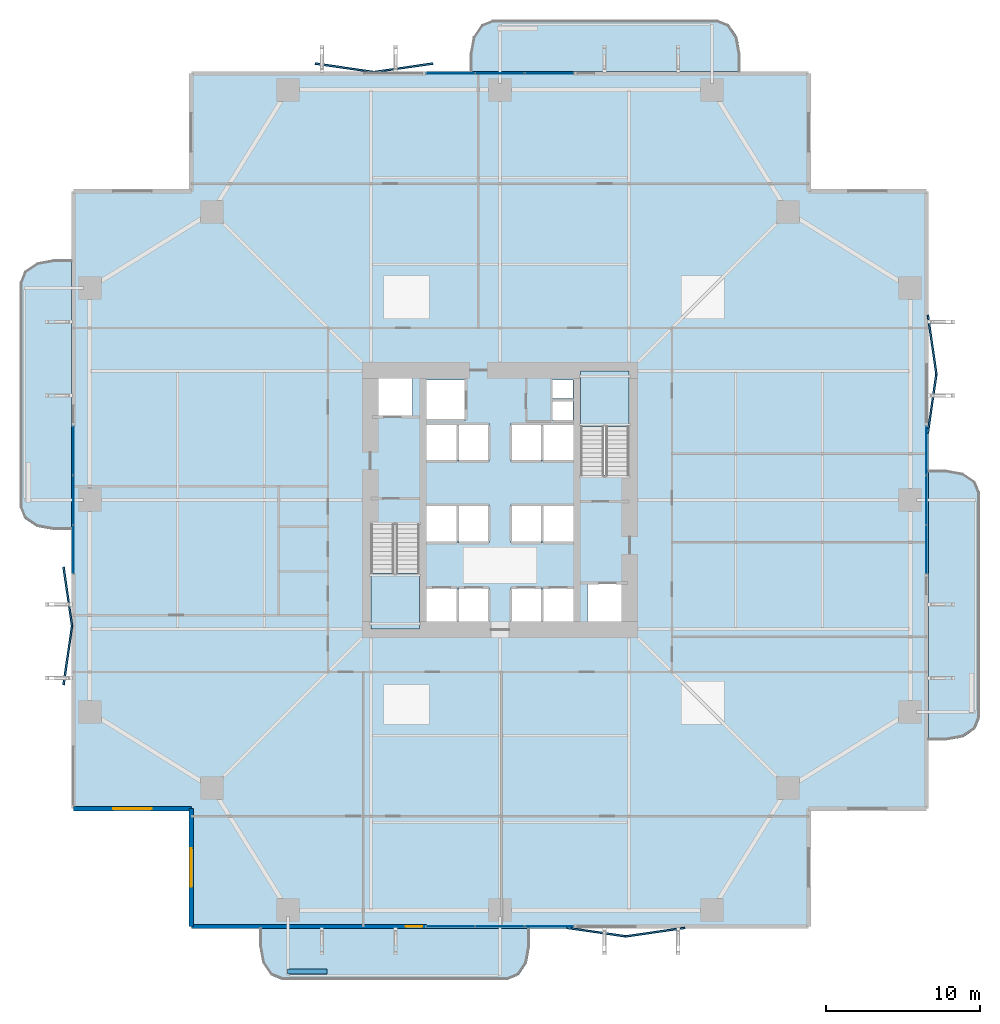
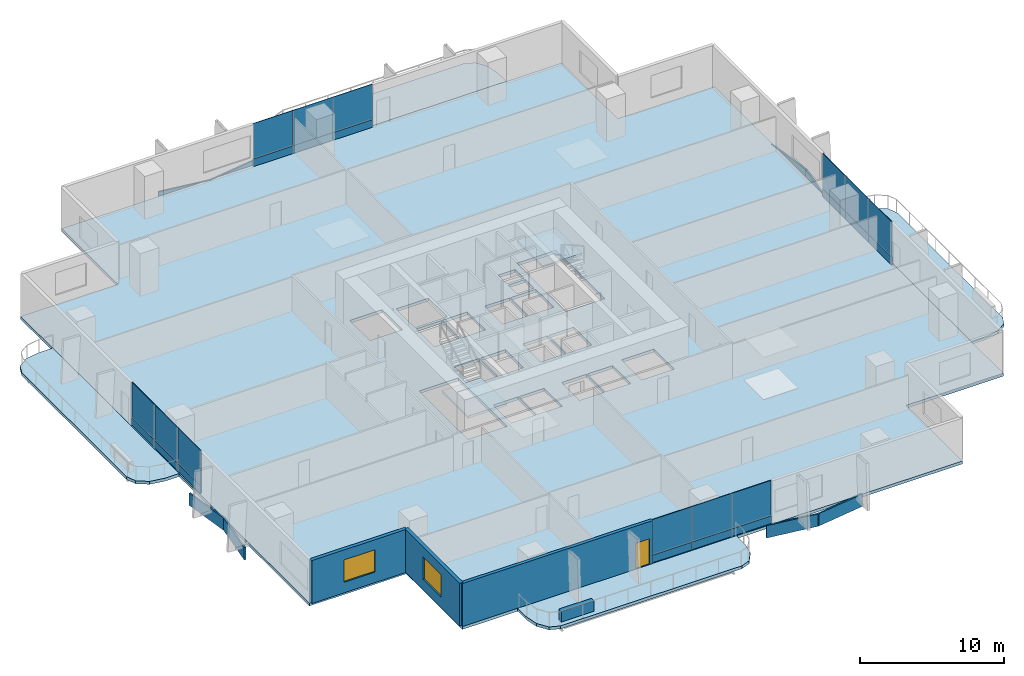
# One storey, part 16 of 23: 32 plates, 7 slabs, 4 walls, 2 windows, 1 door, 3 openings, 6 elements without a shape of their own.
"""IFC4 building model written with IfcOpenShell, lengths in metres."""

import ifcopenshell
import ifcopenshell.guid

model = None  # the IFC model being written
_history = None  # IfcOwnerHistory: only IFC2X3 demands one
_inside = {}  # id of a spatial element -> (the spatial element, [elements in it])
_under = {}  # id of a project, library or spatial element -> (it, [spatial elements below it])
_declared = {}  # id of a project -> (the project, [libraries it declares])
_typed = {}  # id of a type object -> (the type object, [elements of that type])
_made_of = {}  # id of a material, layer set ... -> (it, [elements and type objects made of it])


def new_model(schema):
    """Start an empty IFC model of exactly this schema.

    Asked for "IFC4X3", IfcOpenShell would pick the latest addendum, in which some entities
    have other attributes; the version numbers below select the first issue.
    IFC2X3 requires an IfcOwnerHistory on every rooted entity: one is made here for all.
    """
    global model, _history
    if schema == "IFC4X3":
        model = ifcopenshell.file(schema_version=(4, 3, 0, 0))
    else:
        model = ifcopenshell.file(schema=schema)
    _inside.clear()
    _under.clear()
    _declared.clear()
    _typed.clear()
    _made_of.clear()
    _history = None
    if model.schema == "IFC2X3":
        org = make("IfcOrganization", Name="unknown")
        user = make(
            "IfcPersonAndOrganization",
            ThePerson=make("IfcPerson", FamilyName="unknown"),
            TheOrganization=org,
        )
        app = make(
            "IfcApplication",
            ApplicationDeveloper=org,
            Version="unknown",
            ApplicationFullName="unknown",
            ApplicationIdentifier="unknown",
        )
        _history = make(
            "IfcOwnerHistory",
            OwningUser=user,
            OwningApplication=app,
            ChangeAction="ADDED",
            CreationDate=0,
        )
    return model


def make(cls, **values):
    """One entity of the class cls with the attributes given. An attribute that is None is left unset."""
    return model.create_entity(
        cls, **{name: value for name, value in values.items() if value is not None}
    )


def rooted(cls, **values):
    """An entity with a GlobalId (a new one), such as an element, a storey or a relation."""
    return make(cls, GlobalId=ifcopenshell.guid.new(), OwnerHistory=_history, **values)


def si_unit(unit_type, name, prefix=None):
    """IfcSIUnit, for example si_unit("LENGTHUNIT", "METRE", prefix="MILLI")."""
    return make("IfcSIUnit", UnitType=unit_type, Prefix=prefix, Name=name)


def assignment(units):
    """IfcUnitAssignment: the units of a project."""
    return None if units is None else make("IfcUnitAssignment", Units=units)


def point(xyz):
    """IfcCartesianPoint."""
    return None if xyz is None else make("IfcCartesianPoint", Coordinates=xyz)


def direction(xyz):
    """IfcDirection."""
    return None if xyz is None else make("IfcDirection", DirectionRatios=xyz)


def frame(location, z_axis=None, x_axis=None):
    """IfcAxis2Placement3D, a coordinate frame: its origin and axes. An axis left out is left unset."""
    return make(
        "IfcAxis2Placement3D",
        Location=point(location),
        Axis=direction(z_axis),
        RefDirection=direction(x_axis),
    )


def frame_2d(location, x_axis=None):
    """IfcAxis2Placement2D, a coordinate frame in the plane: its origin and x axis."""
    return make(
        "IfcAxis2Placement2D", Location=point(location), RefDirection=direction(x_axis)
    )


def origin():
    """The frame at (0, 0, 0) with its axes left unset."""
    return frame((0.0, 0.0, 0.0))


def origin_2d():
    """The frame at (0, 0) in the plane with its x axis left unset."""
    return frame_2d((0.0, 0.0))


def place(relative_to, where):
    """IfcLocalPlacement: puts the frame where relative to a parent placement (None: the world)."""
    return make(
        "IfcLocalPlacement", PlacementRelTo=relative_to, RelativePlacement=where
    )


def context(
    kind, dimensions, precision=None, world=None, true_north=None, identifier=None
):
    """IfcGeometricRepresentationContext, for example the 3D "Model" context."""
    return make(
        "IfcGeometricRepresentationContext",
        ContextIdentifier=identifier,
        ContextType=kind,
        CoordinateSpaceDimension=dimensions,
        Precision=precision,
        WorldCoordinateSystem=world,
        TrueNorth=true_north,
    )


def subcontext(parent, identifier, kind, view, scale=None):
    """IfcGeometricRepresentationSubContext, for example "Body" below "Model"."""
    return make(
        "IfcGeometricRepresentationSubContext",
        ContextIdentifier=identifier,
        ContextType=kind,
        ParentContext=parent,
        TargetScale=scale,
        TargetView=view,
    )


def project(units=None, contexts=None):
    """IfcProject with its units and contexts."""
    return rooted(
        "IfcProject",
        Name="project",
        RepresentationContexts=contexts,
        UnitsInContext=assignment(units),
    )


def spatial(cls, under=None, at=None, **own):
    """A site, building, storey or space (cls), placed at a placement, below another one or the project."""
    s = rooted(cls, ObjectPlacement=at, **own)
    if under is not None:
        _under.setdefault(under.id(), (under, []))[1].append(s)
    return s


def polyline(points):
    """IfcPolyline through the points."""
    return make("IfcPolyline", Points=[point(p) for p in points])


def profile(cls, at=None, kind="AREA", **sizes):
    """A parametric profile (cls). Its sizes go by their IFC names, for example OverallWidth=200.0."""
    return make(cls, ProfileType=kind, Position=at, **sizes)


def rectangle(**sizes):
    """IfcRectangleProfileDef."""
    return profile("IfcRectangleProfileDef", **sizes)


def outline(outer, holes=None, kind="AREA"):
    """IfcArbitraryClosedProfileDef: a profile drawn as a closed curve; with holes, ...WithVoids."""
    if holes is None:
        return make("IfcArbitraryClosedProfileDef", ProfileType=kind, OuterCurve=outer)
    return make(
        "IfcArbitraryProfileDefWithVoids",
        ProfileType=kind,
        OuterCurve=outer,
        InnerCurves=holes,
    )


def extrude(swept, where, along, depth):
    """IfcExtrudedAreaSolid: the profile swept, set in the frame where, extruded along a direction by depth."""
    return make(
        "IfcExtrudedAreaSolid",
        SweptArea=swept,
        Position=where,
        ExtrudedDirection=direction(along),
        Depth=depth,
    )


def shape(context_of_items, identifier, shape_type, items):
    """IfcShapeRepresentation: the items that make up one representation, for example the "Body"."""
    return make(
        "IfcShapeRepresentation",
        ContextOfItems=context_of_items,
        RepresentationIdentifier=identifier,
        RepresentationType=shape_type,
        Items=items,
    )


def material(Name=None, Category=None):
    """IfcMaterial."""
    return make("IfcMaterial", Name=Name, Category=Category)


def layer(
    of_material, thickness, ventilated=None, Name=None, Category=None, Priority=None
):
    """IfcMaterialLayer: one layer of a wall or slab, of a material (None: an air gap)."""
    return make(
        "IfcMaterialLayer",
        Material=of_material,
        LayerThickness=thickness,
        IsVentilated=ventilated,
        Name=Name,
        Category=Category,
        Priority=Priority,
    )


def layer_set(layers, Name=None):
    """IfcMaterialLayerSet."""
    return make("IfcMaterialLayerSet", MaterialLayers=layers, LayerSetName=Name)


def made_of(thing, what):
    """Note that an element or type object is made of a material, layer set ...; save() writes the relation."""
    if what is not None:
        _made_of.setdefault(what.id(), (what, []))[1].append(thing)
    return thing


def type_object(cls, material=None, **own):
    """A type object (cls), such as IfcWallType, which elements share."""
    return made_of(rooted(cls, **own), material)


def element(
    cls,
    number,
    at=None,
    inside=None,
    cuts=None,
    type_object=None,
    material=None,
    context=None,
    identifier="Body",
    shape_type=None,
    held_by="IfcProductDefinitionShape",
    body=None,
    shapes=None,
    **own,
):
    """One element of the class cls, such as IfcWall. Its Tag is "e" and its number.

    at: its placement. inside: the storey or other place that contains it. cuts: it is an
    opening in that element (IfcRelVoidsElement). A single representation is given by context,
    identifier, shape_type and body (its items); several are given by shapes. held_by: the class
    of the entity that holds the representations. save() writes the other relations.
    """
    e = rooted(cls, Tag="e%d" % number, ObjectPlacement=at, **own)
    if body is not None:
        shapes = [shape(context, identifier, shape_type, body)]
    if shapes is not None:
        e.Representation = make(held_by, Representations=shapes)
    if inside is not None:
        _inside.setdefault(inside.id(), (inside, []))[1].append(e)
    if cuts is not None:
        rooted(
            "IfcRelVoidsElement", RelatingBuildingElement=cuts, RelatedOpeningElement=e
        )
    if type_object is not None:
        _typed.setdefault(type_object.id(), (type_object, []))[1].append(e)
    return made_of(e, material)


def fill(opening, filler):
    """IfcRelFillsElement: the door or window that sits in an opening."""
    return rooted(
        "IfcRelFillsElement",
        RelatingOpeningElement=opening,
        RelatedBuildingElement=filler,
    )


def aggregate(whole, parts):
    """IfcRelAggregates: a whole, such as a stair, and the parts it consists of."""
    return rooted("IfcRelAggregates", RelatingObject=whole, RelatedObjects=parts)


def save(model, path):
    """Write the relations noted so far, then the file.

    IfcRelAggregates (storeys below a building ...), IfcRelContainedInSpatialStructure (elements
    in a storey), IfcRelDefinesByType, IfcRelAssociatesMaterial and IfcRelDeclares: one each for
    every whole, place, type object, material and project.
    """
    for whole, parts in _under.values():
        aggregate(whole, parts)
    for where, things in _inside.values():
        rooted(
            "IfcRelContainedInSpatialStructure",
            RelatedElements=things,
            RelatingStructure=where,
        )
    for kind, things in _typed.values():
        rooted("IfcRelDefinesByType", RelatedObjects=things, RelatingType=kind)
    for what, things in _made_of.values():
        rooted("IfcRelAssociatesMaterial", RelatedObjects=things, RelatingMaterial=what)
    for by, libraries in _declared.values():
        rooted("IfcRelDeclares", RelatingContext=by, RelatedDefinitions=libraries)
    model.write(path)


model = new_model("IFC4")

# Units and contexts
model_context = context("Model", 3, precision=1e-05, world=origin(), true_north=direction((0.0, 1.0)))
body_context = subcontext(model_context, "Body", "Model", "MODEL_VIEW")
ifc_project = project(units=[si_unit("LENGTHUNIT", "METRE"), si_unit("AREAUNIT", "SQUARE_METRE"), si_unit("VOLUMEUNIT", "CUBIC_METRE"), si_unit("PLANEANGLEUNIT", "RADIAN"), si_unit("MASSUNIT", "GRAM", prefix="KILO")], contexts=[model_context])

# Site, building, storey
site_placement = place(None, origin())
site = spatial("IfcSite", under=ifc_project, at=site_placement, CompositionType="ELEMENT")
building_placement = place(site_placement, origin())
building = spatial("IfcBuilding", under=site, at=building_placement, Name="Belovzor Exchange Tower", CompositionType="ELEMENT")
storey_placement = place(building_placement, frame((0.0, 0.0, 76.800048828125)))
storey = spatial("IfcBuildingStorey", under=building, at=storey_placement, Name="L18", CompositionType="ELEMENT", Elevation=76.800048828125)

# Slab
ifc_material_1 = material(Name="Concrete C40/50", Category="concrete")
ifc_layer_1 = layer(ifc_material_1, 0.25)
ifc_layer_set_1 = layer_set([ifc_layer_1], Name="Concrete C40/50")
slab_type_1 = type_object("IfcSlabType", Name="Composite Concrete Floor Deck Slab 250", PredefinedType="FLOOR", material=ifc_layer_set_1)
slab_1_placement = place(storey_placement, frame((0.0, 0.0, -0.25)))
element("IfcSlab", 1, at=slab_1_placement, inside=storey, type_object=slab_type_1, Name="SL-F250 Structural Slab L18", PredefinedType="FLOOR", context=body_context, shape_type="SweptSolid", body=[
    extrude(outline(polyline([(8.699951171875, 0.89990234375), (48.89990234375, 0.89990234375), (48.89990234375, 8.699951171875), (56.699951171875, 8.699951171875), (56.699951171875, 48.89990234375), (48.89990234375, 48.89990234375), (48.89990234375, 56.699951171875), (8.699951171875, 56.699951171875), (8.699951171875, 48.89990234375), (0.89990234375, 48.89990234375), (0.89990234375, 8.699951171875), (8.699951171875, 8.699951171875), (8.699951171875, 0.89990234375)]), holes=[polyline([(20.39990234375, 27.175048828125), (20.39990234375, 20.39990234375), (23.550048828125, 20.39990234375), (23.550048828125, 27.175048828125), (20.39990234375, 27.175048828125)]), polyline([(37.199951171875, 30.425048828125), (37.199951171875, 37.199951171875), (34.050048828125, 37.199951171875), (34.050048828125, 30.425048828125), (37.199951171875, 30.425048828125)]), polyline([(20.5, 34.199951171875), (23.10009765625, 34.199951171875), (23.10009765625, 37.0), (20.5, 37.0), (20.5, 34.199951171875)]), polyline([(34.5, 20.60009765625), (37.10009765625, 20.60009765625), (37.10009765625, 23.39990234375), (34.5, 23.39990234375), (34.5, 20.60009765625)]), polyline([(24.0, 34.0), (26.60009765625, 34.0), (26.60009765625, 36.60009765625), (24.0, 36.60009765625), (24.0, 34.0)]), polyline([(24.0, 20.60009765625), (26.0, 20.60009765625), (26.0, 23.10009765625), (24.0, 23.10009765625), (24.0, 20.60009765625)]), polyline([(26.10009765625, 20.60009765625), (28.10009765625, 20.60009765625), (28.10009765625, 23.10009765625), (26.10009765625, 23.10009765625), (26.10009765625, 20.60009765625)]), polyline([(29.5, 20.60009765625), (31.5, 20.60009765625), (31.5, 23.10009765625), (29.5, 23.10009765625), (29.5, 20.60009765625)]), polyline([(31.60009765625, 20.60009765625), (33.60009765625, 20.60009765625), (33.60009765625, 23.10009765625), (31.60009765625, 23.10009765625), (31.60009765625, 20.60009765625)]), polyline([(24.0, 26.0), (26.0, 26.0), (26.0, 28.5), (24.0, 28.5), (24.0, 26.0)]), polyline([(26.10009765625, 26.0), (28.10009765625, 26.0), (28.10009765625, 28.5), (26.10009765625, 28.5), (26.10009765625, 26.0)]), polyline([(29.5, 26.0), (31.5, 26.0), (31.5, 28.5), (29.5, 28.5), (29.5, 26.0)]), polyline([(31.60009765625, 26.0), (33.60009765625, 26.0), (33.60009765625, 28.5), (31.60009765625, 28.5), (31.60009765625, 26.0)]), polyline([(24.0, 31.300048828125), (26.0, 31.300048828125), (26.0, 33.800048828125), (24.0, 33.800048828125), (24.0, 31.300048828125)]), polyline([(26.10009765625, 31.300048828125), (28.10009765625, 31.300048828125), (28.10009765625, 33.800048828125), (26.10009765625, 33.800048828125), (26.10009765625, 31.300048828125)]), polyline([(29.5, 31.300048828125), (31.5, 31.300048828125), (31.5, 33.800048828125), (29.5, 33.800048828125), (29.5, 31.300048828125)]), polyline([(31.60009765625, 31.300048828125), (33.60009765625, 31.300048828125), (33.60009765625, 33.800048828125), (31.60009765625, 33.800048828125), (31.60009765625, 31.300048828125)]), polyline([(32.199951171875, 34.0), (33.550048828125, 34.0), (33.550048828125, 35.199951171875), (32.199951171875, 35.199951171875), (32.199951171875, 34.0)]), polyline([(32.199951171875, 35.39990234375), (33.550048828125, 35.39990234375), (33.550048828125, 36.60009765625), (32.199951171875, 36.60009765625), (32.199951171875, 35.39990234375)])]), origin(), (0.0, 0.0, 1.0), 0.25),
])

# Plates
ifc_material_2 = material(Name="Extruded Architectural Terracotta", Category="masonry")
ifc_layer_2 = layer(ifc_material_2, 0.1201171875)
ifc_layer_set_2 = layer_set([ifc_layer_2], Name="Extruded Architectural Terracotta")
plate_type_1 = type_object("IfcPlateType", Name="Folded Zigzag Terracotta Spandrel Louvre 80", PredefinedType="USERDEFINED", material=ifc_layer_set_2)
for number, where, z_axis, x_axis, name in (
    (2, (18.699951171875, 56.93505859375, -1.03515625), (0.0, 0.0, 1.0), (0.989686419138, -0.143250800258, 0.0), "LVR-ZZ1 Zigzag Terracotta Spandrel Louvre L18 N1A"),
    (3, (22.5, 56.93505859375, -1.03515625), (0.0, 0.0, 1.0), (0.989686419138, 0.143250800258, 0.0), "LVR-ZZ1 Zigzag Terracotta Spandrel Louvre L18 N1B"),
    (4, (0.6650390625, 18.699951171875, -1.03515625), (0.0, 0.0, 1.0), (0.143250800258, 0.989686419138, 0.0), "LVR-ZZ1 Zigzag Terracotta Spandrel Louvre L18 W1A"),
    (5, (0.6650390625, 22.5, -1.03515625), (0.0, 0.0, 1.0), (-0.143250800258, 0.989686419138, 0.0), "LVR-ZZ1 Zigzag Terracotta Spandrel Louvre L18 W1B"),
    (6, (35.10009765625, 0.6650390625, -1.03515625), (0.0, 0.0, 1.0), (0.989686419138, -0.143250800258, 0.0), "LVR-ZZ1 Zigzag Terracotta Spandrel Louvre L18 S2A"),
    (7, (38.89990234375, 0.6650390625, -1.03515625), (0.0, 0.0, 1.0), (0.989686419138, 0.143250800258, 0.0), "LVR-ZZ1 Zigzag Terracotta Spandrel Louvre L18 S2B"),
    (8, (56.93505859375, 35.10009765625, -1.03515625), (0.0, 0.0, 1.0), (0.143250800258, 0.989686419138, 0.0), "LVR-ZZ1 Zigzag Terracotta Spandrel Louvre L18 E2A"),
    (9, (56.93505859375, 38.89990234375, -1.03515625), (0.0, 0.0, 1.0), (-0.143250800258, 0.989686419138, 0.0), "LVR-ZZ1 Zigzag Terracotta Spandrel Louvre L18 E2B"),
):
    element("IfcPlate", number, at=place(storey_placement, frame(where, z_axis=z_axis, x_axis=x_axis)), inside=storey, type_object=plate_type_1, Name=name, ObjectType="SPANDREL_LOUVRE", PredefinedType="USERDEFINED", context=body_context, shape_type="SweptSolid", body=[
        extrude(rectangle(XDim=3.919921875, YDim=0.1201171875, at=origin_2d()), origin(), (0.0, 0.0, 1.0), 1.050048828125),
    ])

# Curtain wall, plates
ifc_material_3 = material(Name="Anodised Aluminium Framing", Category="aluminium")
ifc_layer_3 = layer(ifc_material_3, 0.179931640625)
ifc_layer_set_3 = layer_set([ifc_layer_3], Name="Anodised Aluminium Framing")
curtain_wall_type = type_object("IfcCurtainWallType", Name="Recessed Loggia Low-Iron Triple-Glazed Curtain Wall", PredefinedType="NOTDEFINED", material=ifc_layer_set_3)
curtain_wall_1_placement = place(storey_placement, origin())
curtain_wall_1 = element("IfcCurtainWall", 10, at=curtain_wall_1_placement, inside=storey, type_object=curtain_wall_type, Name="CW3 Recessed Loggia Low-Iron Triple-Glazed Curtain Wall L18", PredefinedType="NOTDEFINED")
ifc_material_4 = material(Name="Solar-Control Triple Glazing", Category="glass")
ifc_layer_4 = layer(ifc_material_4, 0.0439453125)
ifc_layer_set_4 = layer_set([ifc_layer_4], Name="Solar-Control Triple Glazing")
plate_type_2 = type_object("IfcPlateType", Name="Insulated Solar Glazing Curtain Panel 44", PredefinedType="CURTAIN_PANEL", material=ifc_layer_set_4)
plate_1_placement = place(storey_placement, frame((32.0, 1.030029296875, 0.65185546875), z_axis=(0.0, 0.0, 1.0), x_axis=(-1.0, 0.0, 0.0)))
plate_1 = element("IfcPlate", 11, at=plate_1_placement, type_object=plate_type_2, Name="GLZ-44 Glazed Curtain Panel 1", PredefinedType="CURTAIN_PANEL", context=body_context, shape_type="SweptSolid", body=[
    extrude(rectangle(XDim=3.18408203125, YDim=0.0439453125, at=origin_2d()), origin(), (0.0, 0.0, 1.0), 2.998046875),
])
plate_2_placement = place(storey_placement, frame((28.800048828125, 1.030029296875, 0.65185546875), z_axis=(0.0, 0.0, 1.0), x_axis=(-1.0, 0.0, 0.0)))
plate_2 = element("IfcPlate", 12, at=plate_2_placement, type_object=plate_type_2, Name="GLZ-44 Glazed Curtain Panel 2", PredefinedType="CURTAIN_PANEL", context=body_context, shape_type="SweptSolid", body=[
    extrude(rectangle(XDim=3.18408203125, YDim=0.0439453125, at=origin_2d()), origin(), (0.0, 0.0, 1.0), 2.998046875),
])
plate_3_placement = place(storey_placement, frame((25.60009765625, 1.030029296875, 0.65185546875), z_axis=(0.0, 0.0, 1.0), x_axis=(-1.0, 0.0, 0.0)))
plate_3 = element("IfcPlate", 13, at=plate_3_placement, type_object=plate_type_2, Name="GLZ-44 Glazed Curtain Panel 3", PredefinedType="CURTAIN_PANEL", context=body_context, shape_type="SweptSolid", body=[
    extrude(rectangle(XDim=3.18408203125, YDim=0.0439453125, at=origin_2d()), origin(), (0.0, 0.0, 1.0), 2.998046875),
])

curtain_wall_2_placement = place(storey_placement, origin())
curtain_wall_2 = element("IfcCurtainWall", 14, at=curtain_wall_2_placement, inside=storey, type_object=curtain_wall_type, Name="CW3 Recessed Loggia Low-Iron Triple-Glazed Curtain Wall L18", PredefinedType="NOTDEFINED")
plate_4_placement = place(storey_placement, frame((25.60009765625, 56.570068359375, 0.65185546875), z_axis=(0.0, 0.0, 1.0), x_axis=(1.0, 0.0, 0.0)))
plate_4 = element("IfcPlate", 15, at=plate_4_placement, type_object=plate_type_2, Name="GLZ-44 Glazed Curtain Panel 1", PredefinedType="CURTAIN_PANEL", context=body_context, shape_type="SweptSolid", body=[
    extrude(rectangle(XDim=3.18408203125, YDim=0.0439453125, at=origin_2d()), origin(), (0.0, 0.0, 1.0), 2.998046875),
])
plate_5_placement = place(storey_placement, frame((28.800048828125, 56.570068359375, 0.65185546875), z_axis=(0.0, 0.0, 1.0), x_axis=(1.0, 0.0, 0.0)))
plate_5 = element("IfcPlate", 16, at=plate_5_placement, type_object=plate_type_2, Name="GLZ-44 Glazed Curtain Panel 2", PredefinedType="CURTAIN_PANEL", context=body_context, shape_type="SweptSolid", body=[
    extrude(rectangle(XDim=3.18408203125, YDim=0.0439453125, at=origin_2d()), origin(), (0.0, 0.0, 1.0), 2.998046875),
])
plate_6_placement = place(storey_placement, frame((32.0, 56.570068359375, 0.65185546875), z_axis=(0.0, 0.0, 1.0), x_axis=(1.0, 0.0, 0.0)))
plate_6 = element("IfcPlate", 17, at=plate_6_placement, type_object=plate_type_2, Name="GLZ-44 Glazed Curtain Panel 3", PredefinedType="CURTAIN_PANEL", context=body_context, shape_type="SweptSolid", body=[
    extrude(rectangle(XDim=3.18408203125, YDim=0.0439453125, at=origin_2d()), origin(), (0.0, 0.0, 1.0), 2.998046875),
])

curtain_wall_3_placement = place(storey_placement, origin())
curtain_wall_3 = element("IfcCurtainWall", 18, at=curtain_wall_3_placement, inside=storey, type_object=curtain_wall_type, Name="CW3 Recessed Loggia Low-Iron Triple-Glazed Curtain Wall L18", PredefinedType="NOTDEFINED")
plate_7_placement = place(storey_placement, frame((1.030029296875, 25.60009765625, 0.65185546875), z_axis=(0.0, 0.0, 1.0), x_axis=(0.0, 1.0, 0.0)))
plate_7 = element("IfcPlate", 19, at=plate_7_placement, type_object=plate_type_2, Name="GLZ-44 Glazed Curtain Panel 1", PredefinedType="CURTAIN_PANEL", context=body_context, shape_type="SweptSolid", body=[
    extrude(rectangle(XDim=3.18408203125, YDim=0.0439453125, at=origin_2d()), origin(), (0.0, 0.0, 1.0), 2.998046875),
])
plate_8_placement = place(storey_placement, frame((1.030029296875, 28.800048828125, 0.65185546875), z_axis=(0.0, 0.0, 1.0), x_axis=(0.0, 1.0, 0.0)))
plate_8 = element("IfcPlate", 20, at=plate_8_placement, type_object=plate_type_2, Name="GLZ-44 Glazed Curtain Panel 2", PredefinedType="CURTAIN_PANEL", context=body_context, shape_type="SweptSolid", body=[
    extrude(rectangle(XDim=3.18408203125, YDim=0.0439453125, at=origin_2d()), origin(), (0.0, 0.0, 1.0), 2.998046875),
])
plate_9_placement = place(storey_placement, frame((1.030029296875, 32.0, 0.65185546875), z_axis=(0.0, 0.0, 1.0), x_axis=(0.0, 1.0, 0.0)))
plate_9 = element("IfcPlate", 21, at=plate_9_placement, type_object=plate_type_2, Name="GLZ-44 Glazed Curtain Panel 3", PredefinedType="CURTAIN_PANEL", context=body_context, shape_type="SweptSolid", body=[
    extrude(rectangle(XDim=3.18408203125, YDim=0.0439453125, at=origin_2d()), origin(), (0.0, 0.0, 1.0), 2.998046875),
])

curtain_wall_4_placement = place(storey_placement, origin())
curtain_wall_4 = element("IfcCurtainWall", 22, at=curtain_wall_4_placement, inside=storey, type_object=curtain_wall_type, Name="CW3 Recessed Loggia Low-Iron Triple-Glazed Curtain Wall L18", PredefinedType="NOTDEFINED")
plate_10_placement = place(storey_placement, frame((56.570068359375, 32.0, 0.65185546875), z_axis=(0.0, 0.0, 1.0), x_axis=(0.0, -1.0, 0.0)))
plate_10 = element("IfcPlate", 23, at=plate_10_placement, type_object=plate_type_2, Name="GLZ-44 Glazed Curtain Panel 1", PredefinedType="CURTAIN_PANEL", context=body_context, shape_type="SweptSolid", body=[
    extrude(rectangle(XDim=3.18408203125, YDim=0.0439453125, at=origin_2d()), origin(), (0.0, 0.0, 1.0), 2.998046875),
])
plate_11_placement = place(storey_placement, frame((56.570068359375, 28.800048828125, 0.65185546875), z_axis=(0.0, 0.0, 1.0), x_axis=(0.0, -1.0, 0.0)))
plate_11 = element("IfcPlate", 24, at=plate_11_placement, type_object=plate_type_2, Name="GLZ-44 Glazed Curtain Panel 2", PredefinedType="CURTAIN_PANEL", context=body_context, shape_type="SweptSolid", body=[
    extrude(rectangle(XDim=3.18408203125, YDim=0.0439453125, at=origin_2d()), origin(), (0.0, 0.0, 1.0), 2.998046875),
])
plate_12_placement = place(storey_placement, frame((56.570068359375, 25.60009765625, 0.65185546875), z_axis=(0.0, 0.0, 1.0), x_axis=(0.0, -1.0, 0.0)))
plate_12 = element("IfcPlate", 25, at=plate_12_placement, type_object=plate_type_2, Name="GLZ-44 Glazed Curtain Panel 3", PredefinedType="CURTAIN_PANEL", context=body_context, shape_type="SweptSolid", body=[
    extrude(rectangle(XDim=3.18408203125, YDim=0.0439453125, at=origin_2d()), origin(), (0.0, 0.0, 1.0), 2.998046875),
])

# Stair, slab
ifc_material_5 = material(Name="Concrete C40/50", Category="concrete")
stair_type = type_object("IfcStairType", Name="Reinforced Concrete Dogleg Escape Stair 1350", PredefinedType="HALF_TURN_STAIR", material=ifc_material_5)
stair_1_placement = place(storey_placement, origin())
stair_1 = element("IfcStair", 26, at=stair_1_placement, inside=storey, type_object=stair_type, Name="L18 ST-1", PredefinedType="HALF_TURN_STAIR")
ifc_material_6 = material(Name="Concrete C40/50", Category="concrete")
ifc_layer_5 = layer(ifc_material_6, 0.199951171875)
ifc_layer_set_5 = layer_set([ifc_layer_5], Name="Concrete C40/50")
slab_type_2 = type_object("IfcSlabType", Name="Reinforced Concrete Stair Half-Landing Slab 200", PredefinedType="LANDING", material=ifc_layer_set_5)
slab_2_placement = place(storey_placement, frame((0.0, 0.0, 1.75)))
slab_2 = element("IfcSlab", 27, at=slab_2_placement, type_object=slab_type_2, Name="ST-1 landing 1", PredefinedType="LANDING", context=body_context, shape_type="SweptSolid", body=[
    extrude(outline(polyline([(20.39990234375, 24.010009765625), (20.39990234375, 20.39990234375), (23.550048828125, 20.39990234375), (23.550048828125, 24.010009765625), (20.39990234375, 24.010009765625)])), origin(), (0.0, 0.0, 1.0), 0.199951171875),
])
aggregate(stair_1, [slab_2])

stair_2_placement = place(storey_placement, origin())
stair_2 = element("IfcStair", 28, at=stair_2_placement, inside=storey, type_object=stair_type, Name="L18 ST-2", PredefinedType="HALF_TURN_STAIR")
slab_3_placement = place(storey_placement, frame((0.0, 0.0, 1.75)))
slab_3 = element("IfcSlab", 29, at=slab_3_placement, type_object=slab_type_2, Name="ST-2 landing 1", PredefinedType="LANDING", context=body_context, shape_type="SweptSolid", body=[
    extrude(outline(polyline([(37.199951171875, 33.590087890625), (37.199951171875, 37.199951171875), (34.050048828125, 37.199951171875), (34.050048828125, 33.590087890625), (37.199951171875, 33.590087890625)])), origin(), (0.0, 0.0, 1.0), 0.199951171875),
])
aggregate(stair_2, [slab_3])

# Plate
ifc_material_7 = material(Name="Extruded Architectural Terracotta", Category="masonry")
ifc_layer_6 = layer(ifc_material_7, 0.090087890625)
ifc_layer_set_6 = layer_set([ifc_layer_6], Name="Extruded Architectural Terracotta")
plate_type_3 = type_object("IfcPlateType", Name="Terracotta Shadow-Box Spandrel Panel 90", PredefinedType="CURTAIN_PANEL", material=ifc_layer_set_6)
plate_13_placement = place(storey_placement, frame((32.0, 1.030029296875, 0.0), z_axis=(0.0, 0.0, 1.0), x_axis=(-1.0, 0.0, 0.0)))
plate_13 = element("IfcPlate", 30, at=plate_13_placement, type_object=plate_type_3, Name="SPD-90 Spandrel Panel 1", PredefinedType="CURTAIN_PANEL", context=body_context, shape_type="SweptSolid", body=[
    extrude(rectangle(XDim=3.18408203125, YDim=0.090087890625, at=origin_2d()), origin(), (0.0, 0.0, 1.0), 0.64794921875),
])

plate_14_placement = place(storey_placement, frame((28.800048828125, 1.030029296875, 0.0), z_axis=(0.0, 0.0, 1.0), x_axis=(-1.0, 0.0, 0.0)))
plate_14 = element("IfcPlate", 31, at=plate_14_placement, type_object=plate_type_3, Name="SPD-90 Spandrel Panel 2", PredefinedType="CURTAIN_PANEL", context=body_context, shape_type="SweptSolid", body=[
    extrude(rectangle(XDim=3.18408203125, YDim=0.090087890625, at=origin_2d()), origin(), (0.0, 0.0, 1.0), 0.64794921875),
])

plate_15_placement = place(storey_placement, frame((25.60009765625, 1.030029296875, 0.0), z_axis=(0.0, 0.0, 1.0), x_axis=(-1.0, 0.0, 0.0)))
plate_15 = element("IfcPlate", 32, at=plate_15_placement, type_object=plate_type_3, Name="SPD-90 Spandrel Panel 3", PredefinedType="CURTAIN_PANEL", context=body_context, shape_type="SweptSolid", body=[
    extrude(rectangle(XDim=3.18408203125, YDim=0.090087890625, at=origin_2d()), origin(), (0.0, 0.0, 1.0), 0.64794921875),
])

aggregate(curtain_wall_1, [plate_13, plate_1, plate_14, plate_2, plate_15, plate_3])

plate_16_placement = place(storey_placement, frame((25.60009765625, 56.570068359375, 0.0), z_axis=(0.0, 0.0, 1.0), x_axis=(1.0, 0.0, 0.0)))
plate_16 = element("IfcPlate", 33, at=plate_16_placement, type_object=plate_type_3, Name="SPD-90 Spandrel Panel 1", PredefinedType="CURTAIN_PANEL", context=body_context, shape_type="SweptSolid", body=[
    extrude(rectangle(XDim=3.18408203125, YDim=0.090087890625, at=origin_2d()), origin(), (0.0, 0.0, 1.0), 0.64794921875),
])

plate_17_placement = place(storey_placement, frame((28.800048828125, 56.570068359375, 0.0), z_axis=(0.0, 0.0, 1.0), x_axis=(1.0, 0.0, 0.0)))
plate_17 = element("IfcPlate", 34, at=plate_17_placement, type_object=plate_type_3, Name="SPD-90 Spandrel Panel 2", PredefinedType="CURTAIN_PANEL", context=body_context, shape_type="SweptSolid", body=[
    extrude(rectangle(XDim=3.18408203125, YDim=0.090087890625, at=origin_2d()), origin(), (0.0, 0.0, 1.0), 0.64794921875),
])

plate_18_placement = place(storey_placement, frame((32.0, 56.570068359375, 0.0), z_axis=(0.0, 0.0, 1.0), x_axis=(1.0, 0.0, 0.0)))
plate_18 = element("IfcPlate", 35, at=plate_18_placement, type_object=plate_type_3, Name="SPD-90 Spandrel Panel 3", PredefinedType="CURTAIN_PANEL", context=body_context, shape_type="SweptSolid", body=[
    extrude(rectangle(XDim=3.18408203125, YDim=0.090087890625, at=origin_2d()), origin(), (0.0, 0.0, 1.0), 0.64794921875),
])

aggregate(curtain_wall_2, [plate_16, plate_4, plate_17, plate_5, plate_18, plate_6])

plate_19_placement = place(storey_placement, frame((1.030029296875, 25.60009765625, 0.0), z_axis=(0.0, 0.0, 1.0), x_axis=(0.0, 1.0, 0.0)))
plate_19 = element("IfcPlate", 36, at=plate_19_placement, type_object=plate_type_3, Name="SPD-90 Spandrel Panel 1", PredefinedType="CURTAIN_PANEL", context=body_context, shape_type="SweptSolid", body=[
    extrude(rectangle(XDim=3.18408203125, YDim=0.090087890625, at=origin_2d()), origin(), (0.0, 0.0, 1.0), 0.64794921875),
])

plate_20_placement = place(storey_placement, frame((1.030029296875, 28.800048828125, 0.0), z_axis=(0.0, 0.0, 1.0), x_axis=(0.0, 1.0, 0.0)))
plate_20 = element("IfcPlate", 37, at=plate_20_placement, type_object=plate_type_3, Name="SPD-90 Spandrel Panel 2", PredefinedType="CURTAIN_PANEL", context=body_context, shape_type="SweptSolid", body=[
    extrude(rectangle(XDim=3.18408203125, YDim=0.090087890625, at=origin_2d()), origin(), (0.0, 0.0, 1.0), 0.64794921875),
])

plate_21_placement = place(storey_placement, frame((1.030029296875, 32.0, 0.0), z_axis=(0.0, 0.0, 1.0), x_axis=(0.0, 1.0, 0.0)))
plate_21 = element("IfcPlate", 38, at=plate_21_placement, type_object=plate_type_3, Name="SPD-90 Spandrel Panel 3", PredefinedType="CURTAIN_PANEL", context=body_context, shape_type="SweptSolid", body=[
    extrude(rectangle(XDim=3.18408203125, YDim=0.090087890625, at=origin_2d()), origin(), (0.0, 0.0, 1.0), 0.64794921875),
])

aggregate(curtain_wall_3, [plate_19, plate_7, plate_20, plate_8, plate_21, plate_9])

plate_22_placement = place(storey_placement, frame((56.570068359375, 32.0, 0.0), z_axis=(0.0, 0.0, 1.0), x_axis=(0.0, -1.0, 0.0)))
plate_22 = element("IfcPlate", 39, at=plate_22_placement, type_object=plate_type_3, Name="SPD-90 Spandrel Panel 1", PredefinedType="CURTAIN_PANEL", context=body_context, shape_type="SweptSolid", body=[
    extrude(rectangle(XDim=3.18408203125, YDim=0.090087890625, at=origin_2d()), origin(), (0.0, 0.0, 1.0), 0.64794921875),
])

plate_23_placement = place(storey_placement, frame((56.570068359375, 28.800048828125, 0.0), z_axis=(0.0, 0.0, 1.0), x_axis=(0.0, -1.0, 0.0)))
plate_23 = element("IfcPlate", 40, at=plate_23_placement, type_object=plate_type_3, Name="SPD-90 Spandrel Panel 2", PredefinedType="CURTAIN_PANEL", context=body_context, shape_type="SweptSolid", body=[
    extrude(rectangle(XDim=3.18408203125, YDim=0.090087890625, at=origin_2d()), origin(), (0.0, 0.0, 1.0), 0.64794921875),
])

plate_24_placement = place(storey_placement, frame((56.570068359375, 25.60009765625, 0.0), z_axis=(0.0, 0.0, 1.0), x_axis=(0.0, -1.0, 0.0)))
plate_24 = element("IfcPlate", 41, at=plate_24_placement, type_object=plate_type_3, Name="SPD-90 Spandrel Panel 3", PredefinedType="CURTAIN_PANEL", context=body_context, shape_type="SweptSolid", body=[
    extrude(rectangle(XDim=3.18408203125, YDim=0.090087890625, at=origin_2d()), origin(), (0.0, 0.0, 1.0), 0.64794921875),
])

aggregate(curtain_wall_4, [plate_22, plate_10, plate_23, plate_11, plate_24, plate_12])

# Slabs
ifc_material_8 = material(Name="Concrete C40/50", Category="concrete")
ifc_layer_7 = layer(ifc_material_8, 0.25)
ifc_layer_set_7 = layer_set([ifc_layer_7], Name="Concrete C40/50")
slab_type_3 = type_object("IfcSlabType", Name="Thermally Broken Planted Balcony Slab 250", PredefinedType="FLOOR", material=ifc_layer_set_7)
slab_4_placement = place(storey_placement, frame((0.0, 0.0, -0.25)))
element("IfcSlab", 42, at=slab_4_placement, inside=storey, type_object=slab_type_3, Name="SL-BAL220 Planted Balcony Loggia L18 South", PredefinedType="FLOOR", context=body_context, shape_type="SweptSolid", body=[
    extrude(outline(polyline([(13.14990234375, 0.9150390625), (13.14990234375, -0.25), (13.35107421875, -1.35009765625), (13.89990234375, -2.155029296875), (14.64990234375, -2.449951171875), (29.25, -2.449951171875), (30.0, -2.155029296875), (30.549072265625, -1.35009765625), (30.75, -0.25), (30.75, 0.9150390625), (13.14990234375, 0.9150390625)])), origin(), (0.0, 0.0, 1.0), 0.25),
])
slab_5_placement = place(storey_placement, frame((0.0, 0.0, -0.25)))
element("IfcSlab", 43, at=slab_5_placement, inside=storey, type_object=slab_type_3, Name="SL-BAL220 Planted Balcony Loggia L18 North", PredefinedType="FLOOR", context=body_context, shape_type="SweptSolid", body=[
    extrude(outline(polyline([(44.449951171875, 56.68505859375), (44.449951171875, 57.85009765625), (44.2490234375, 58.949951171875), (43.699951171875, 59.7548828125), (42.949951171875, 60.050048828125), (28.35009765625, 60.050048828125), (27.60009765625, 59.7548828125), (27.051025390625, 58.949951171875), (26.85009765625, 57.85009765625), (26.85009765625, 56.68505859375), (44.449951171875, 56.68505859375)])), origin(), (0.0, 0.0, 1.0), 0.25),
])
slab_6_placement = place(storey_placement, frame((0.0, 0.0, -0.25)))
element("IfcSlab", 44, at=slab_6_placement, inside=storey, type_object=slab_type_3, Name="SL-BAL220 Planted Balcony Loggia L18 East", PredefinedType="FLOOR", context=body_context, shape_type="SweptSolid", body=[
    extrude(outline(polyline([(56.68505859375, 13.14990234375), (57.85009765625, 13.14990234375), (58.949951171875, 13.35107421875), (59.7548828125, 13.89990234375), (60.050048828125, 14.64990234375), (60.050048828125, 29.25), (59.7548828125, 30.0), (58.949951171875, 30.549072265625), (57.85009765625, 30.75), (56.68505859375, 30.75), (56.68505859375, 13.14990234375)])), origin(), (0.0, 0.0, 1.0), 0.25),
])
slab_7_placement = place(storey_placement, frame((0.0, 0.0, -0.25)))
element("IfcSlab", 45, at=slab_7_placement, inside=storey, type_object=slab_type_3, Name="SL-BAL220 Planted Balcony Loggia L18 West", PredefinedType="FLOOR", context=body_context, shape_type="SweptSolid", body=[
    extrude(outline(polyline([(0.9150390625, 44.449951171875), (-0.25, 44.449951171875), (-1.35009765625, 44.2490234375), (-2.155029296875, 43.699951171875), (-2.449951171875, 42.949951171875), (-2.449951171875, 28.35009765625), (-2.155029296875, 27.60009765625), (-1.35009765625, 27.051025390625), (-0.25, 26.85009765625), (0.9150390625, 26.85009765625), (0.9150390625, 44.449951171875)])), origin(), (0.0, 0.0, 1.0), 0.25),
])

# Wall, opening, window
ifc_material_9 = material(Name="Precast concrete C40/50", Category="concrete")
ifc_layer_8 = layer(ifc_material_9, 0.280029296875)
ifc_layer_set_8 = layer_set([ifc_layer_8], Name="Precast concrete C40/50")
wall_type_1 = type_object("IfcWallType", Name="Precast Concrete Notched Corner Frame Wall 280", PredefinedType="SOLIDWALL", material=ifc_layer_set_8)
wall_1_placement = place(storey_placement, frame((8.699951171875, 1.030029296875, 0.0), z_axis=(0.0, 0.0, 1.0), x_axis=(0.0, 1.0, 0.0)))
wall_1 = element("IfcWall", 46, at=wall_1_placement, inside=storey, type_object=wall_type_1, Name="W-CRN280 Precast Concrete Notched Corner Frame Wall 280 L18", PredefinedType="SOLIDWALL", context=body_context, shape_type="SweptSolid", body=[
    extrude(rectangle(XDim=7.669921875, YDim=0.280029296875, at=frame_2d((3.8349609375, 0.0))), origin(), (0.0, 0.0, 1.0), 3.64990234375),
])
opening_1_placement = place(wall_1_placement, frame((2.5849609375, 0.0, 0.89990234375)))
opening_1 = element("IfcOpeningElement", 47, at=opening_1_placement, cuts=wall_1, Name="Opening WN-CRN250", PredefinedType="OPENING", context=body_context, shape_type="SweptSolid", body=[
    extrude(rectangle(XDim=2.5, YDim=1.89990234375, at=frame_2d((1.25, 0.949951171875))), frame((0.0, 0.14990234375, 0.0), z_axis=(0.0, -1.0, 0.0), x_axis=(1.0, 0.0, 0.0)), (0.0, 0.0, 1.0), 0.300048828125),
])
ifc_material_10 = material(Name="Thermally Broken Aluminium and Triple Glazing", Category="aluminium")
window_type = type_object("IfcWindowType", Name="Streamline Moderne Corner Wrap Ribbon Window 2500x1900", PartitioningType="SINGLE_PANEL", PredefinedType="WINDOW", material=ifc_material_10)
window_1_placement = place(opening_1_placement, origin())
window_1 = element("IfcWindow", 48, at=window_1_placement, inside=storey, type_object=window_type, Name="WN-CRN250 Streamline Moderne Corner Wrap Ribbon Window 2500x1900", OverallHeight=1.89990234375, OverallWidth=2.5, PartitioningType="SINGLE_PANEL", PredefinedType="WINDOW", context=body_context, shape_type="SweptSolid", body=[
    extrude(rectangle(XDim=2.5, YDim=1.89990234375, at=frame_2d((1.25, 0.949951171875))), frame((0.0, 0.030029296875, 0.0), z_axis=(0.0, -1.0, 0.0), x_axis=(1.0, 0.0, 0.0)), (0.0, 0.0, 1.0), 0.06005859375),
])
fill(opening_1, window_1)

wall_2_placement = place(storey_placement, frame((8.699951171875, 8.699951171875, 0.0), z_axis=(0.0, 0.0, 1.0), x_axis=(-1.0, 0.0, 0.0)))
wall_2 = element("IfcWall", 49, at=wall_2_placement, inside=storey, type_object=wall_type_1, Name="W-CRN280 Precast Concrete Notched Corner Frame Wall 280 L18", PredefinedType="SOLIDWALL", context=body_context, shape_type="SweptSolid", body=[
    extrude(rectangle(XDim=7.669921875, YDim=0.280029296875, at=frame_2d((3.8349609375, 0.0))), origin(), (0.0, 0.0, 1.0), 3.64990234375),
])
opening_2_placement = place(wall_2_placement, frame((2.5849609375, 0.0, 0.89990234375)))
opening_2 = element("IfcOpeningElement", 50, at=opening_2_placement, cuts=wall_2, Name="Opening WN-CRN250", PredefinedType="OPENING", context=body_context, shape_type="SweptSolid", body=[
    extrude(rectangle(XDim=2.5, YDim=1.89990234375, at=frame_2d((1.25, 0.949951171875))), frame((0.0, 0.14990234375, 0.0), z_axis=(0.0, -1.0, 0.0), x_axis=(1.0, 0.0, 0.0)), (0.0, 0.0, 1.0), 0.300048828125),
])
window_2_placement = place(opening_2_placement, origin())
window_2 = element("IfcWindow", 51, at=window_2_placement, inside=storey, type_object=window_type, Name="WN-CRN250 Streamline Moderne Corner Wrap Ribbon Window 2500x1900", OverallHeight=1.89990234375, OverallWidth=2.5, PartitioningType="SINGLE_PANEL", PredefinedType="WINDOW", context=body_context, shape_type="SweptSolid", body=[
    extrude(rectangle(XDim=2.5, YDim=1.89990234375, at=frame_2d((1.25, 0.949951171875))), frame((0.0, 0.030029296875, 0.0), z_axis=(0.0, -1.0, 0.0), x_axis=(1.0, 0.0, 0.0)), (0.0, 0.0, 1.0), 0.06005859375),
])
fill(opening_2, window_2)

# Wall, opening, door
ifc_material_11 = material(Name="Precast concrete C40/50", Category="concrete")
ifc_layer_9 = layer(ifc_material_11, 0.260009765625)
ifc_layer_set_9 = layer_set([ifc_layer_9], Name="Precast concrete C40/50")
wall_type_2 = type_object("IfcWallType", Name="Precast Concrete Perimeter Loggia Frame Wall 260", PredefinedType="SOLIDWALL", material=ifc_layer_set_9)
wall_3_placement = place(storey_placement, frame((24.0, 1.030029296875, 0.0), z_axis=(0.0, 0.0, 1.0), x_axis=(-1.0, 0.0, 0.0)))
wall_3 = element("IfcWall", 52, at=wall_3_placement, inside=storey, type_object=wall_type_2, Name="W-EXT260 Precast Concrete Perimeter Loggia Frame Wall 260 L18", PredefinedType="SOLIDWALL", context=body_context, shape_type="SweptSolid", body=[
    extrude(rectangle(XDim=15.300048828125, YDim=0.260009765625, at=frame_2d((7.64990234375, 0.0))), origin(), (0.0, 0.0, 1.0), 3.64990234375),
])
opening_3_placement = place(wall_3_placement, frame((0.25, 0.0, 0.0)))
opening_3 = element("IfcOpeningElement", 53, at=opening_3_placement, cuts=wall_3, Name="Opening D-BAL110", PredefinedType="OPENING", context=body_context, shape_type="SweptSolid", body=[
    extrude(rectangle(XDim=1.10009765625, YDim=2.199951171875, at=frame_2d((0.550048828125, 1.10009765625))), frame((0.0, 0.139892578125, 0.0), z_axis=(0.0, -1.0, 0.0), x_axis=(1.0, 0.0, 0.0)), (0.0, 0.0, 1.0), 0.280029296875),
])
ifc_material_12 = material(Name="Thermally Broken Anodised Aluminium and Laminated Glass", Category="aluminium")
door_type = type_object("IfcDoorType", Name="Planted Loggia Terrace Glazed Door 1100x2200", OperationType="SINGLE_SWING_LEFT", PredefinedType="DOOR", material=ifc_material_12)
door_placement = place(opening_3_placement, origin())
door = element("IfcDoor", 54, at=door_placement, inside=storey, type_object=door_type, Name="D-BAL110 Balcony Terrace Door L18 S", OperationType="SINGLE_SWING_LEFT", OverallHeight=2.199951171875, OverallWidth=1.10009765625, PredefinedType="DOOR", context=body_context, shape_type="SweptSolid", body=[
    extrude(rectangle(XDim=1.10009765625, YDim=2.199951171875, at=frame_2d((0.550048828125, 1.10009765625))), frame((0.0, 0.02490234375, 0.0), z_axis=(0.0, -1.0, 0.0), x_axis=(1.0, 0.0, 0.0)), (0.0, 0.0, 1.0), 0.050048828125),
])
fill(opening_3, door)

# Wall
ifc_material_13 = material(Name="Precast concrete C40/50", Category="concrete")
ifc_layer_10 = layer(ifc_material_13, 0.35009765625)
ifc_layer_set_10 = layer_set([ifc_layer_10], Name="Precast concrete C40/50")
wall_type_3 = type_object("IfcWallType", Name="Precast Concrete Structural Tree Planter Trough 350", PredefinedType="PARAPET", material=ifc_layer_set_10)
wall_4_placement = place(storey_placement, frame((14.949951171875, -1.89990234375, 0.0), z_axis=(0.0, 0.0, 1.0), x_axis=(1.0, 0.0, 0.0)))
element("IfcWall", 55, at=wall_4_placement, inside=storey, type_object=wall_type_3, Name="PT-350 Precast Concrete Structural Tree Planter Trough 350 L18", PredefinedType="PARAPET", context=body_context, shape_type="SweptSolid", body=[
    extrude(rectangle(XDim=2.60009765625, YDim=0.35009765625, at=frame_2d((1.300048828125, 0.0))), origin(), (0.0, 0.0, 1.0), 0.89990234375),
])

save(model, "model.ifc")
